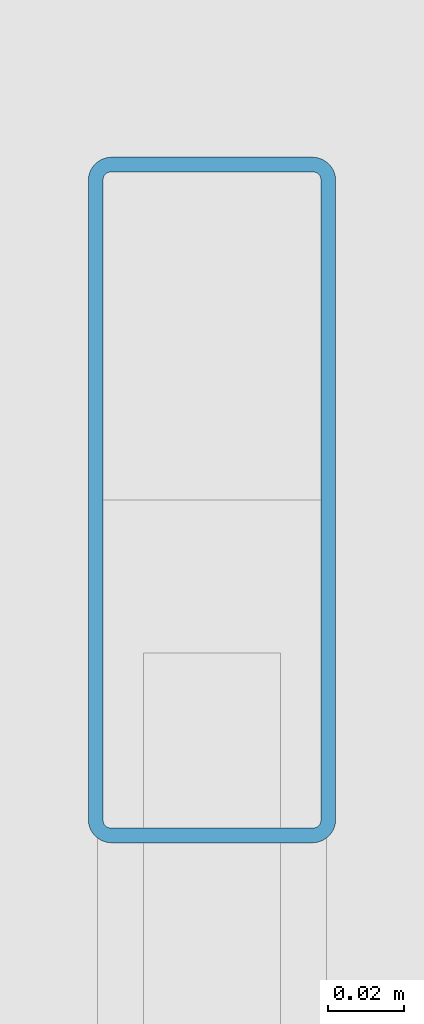
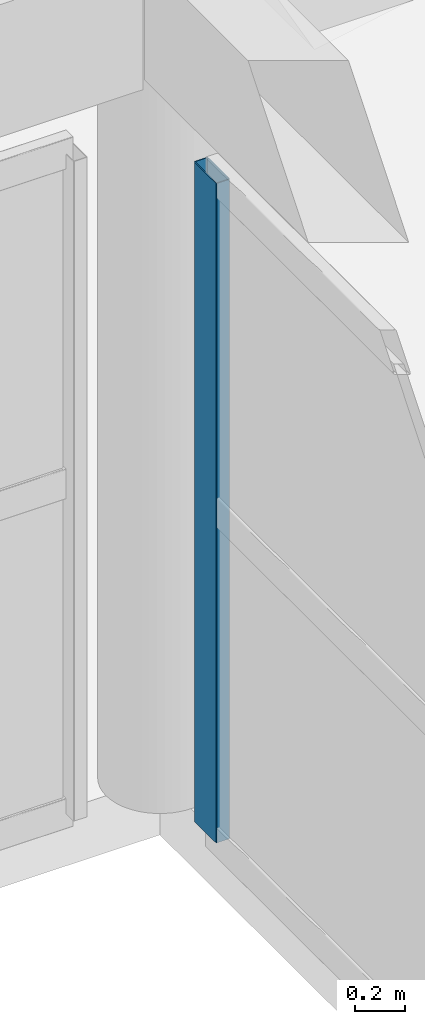
# One storey, part 42 of 65: 1 member, 1 element without a shape of its own.
"""IFC4 building model written with IfcOpenShell, lengths in metres."""

from ifc_helpers import new_model, si_unit, direction, frame, origin, origin_2d, place, context, subcontext, project, spatial, hollow_rectangle, extrude, material, material_profile, profile_set, type_object, element, aggregate, save


model = new_model("IFC4")

# Units and contexts
model_context = context("Model", 3, precision=1e-05, world=origin(), true_north=direction((0.0, 1.0)))
body_context = subcontext(model_context, "Body", "Model", "MODEL_VIEW")
ifc_project = project(units=[si_unit("LENGTHUNIT", "METRE"), si_unit("AREAUNIT", "SQUARE_METRE"), si_unit("VOLUMEUNIT", "CUBIC_METRE"), si_unit("PLANEANGLEUNIT", "RADIAN"), si_unit("MASSUNIT", "GRAM", prefix="KILO")], contexts=[model_context])

# Site, building, storey
site_placement = place(None, origin())
site = spatial("IfcSite", under=ifc_project, at=site_placement, CompositionType="ELEMENT")
building_placement = place(site_placement, origin())
building = spatial("IfcBuilding", under=site, at=building_placement, Name="Varnabhumi Central Station", CompositionType="ELEMENT")
storey_placement = place(building_placement, frame((0.0, 0.0, 24.60009765625)))
storey = spatial("IfcBuildingStorey", under=building, at=storey_placement, Name="L05", CompositionType="ELEMENT", Elevation=24.60009765625)

# Curtain wall, member
ifc_material = material(Name="Anodised aluminium 6063-T6", Category="aluminium")
curtain_wall_type = type_object("IfcCurtainWallType", Name="CW-PATIO-LOGGIA-L3", PredefinedType="NOTDEFINED", material=ifc_material)
curtain_wall_placement = place(storey_placement, origin())
curtain_wall = element("IfcCurtainWall", 1, at=curtain_wall_placement, inside=storey, type_object=curtain_wall_type, Name="Curtain Wall CW-SP5W2", PredefinedType="NOTDEFINED")
ifc_material_profile = material_profile(ifc_material, hollow_rectangle(XDim=0.06494140625, YDim=0.179931640625, WallThickness=0.00390625, InnerFilletRadius=0.001953125, OuterFilletRadius=0.006103515625, at=origin_2d()), Name="Anodised aluminium 6063-T6", Category="aluminium")
ifc_profile_set = profile_set([ifc_material_profile], Name="Anodised aluminium 6063-T6")
member_type = type_object("IfcMemberType", Name="CW-MUL-180", PredefinedType="MULLION", material=ifc_profile_set)
member_placement = place(storey_placement, frame((144.0, 26.580078125, 0.0), z_axis=(0.0, 0.0, 1.0), x_axis=(1.0, 0.0, 0.0)))
member = element("IfcMember", 2, at=member_placement, type_object=member_type, Name="Curtain Wall Mullion CW-SP5W2-M4", PredefinedType="MULLION", context=body_context, shape_type="SweptSolid", body=[
    extrude(hollow_rectangle(XDim=0.06494140625, YDim=0.179931640625, WallThickness=0.00390625, InnerFilletRadius=0.001953125, OuterFilletRadius=0.006103515625, at=origin_2d()), origin(), (0.0, 0.0, 1.0), 3.239990234375),
])
aggregate(curtain_wall, [member])

save(model, "model.ifc")
